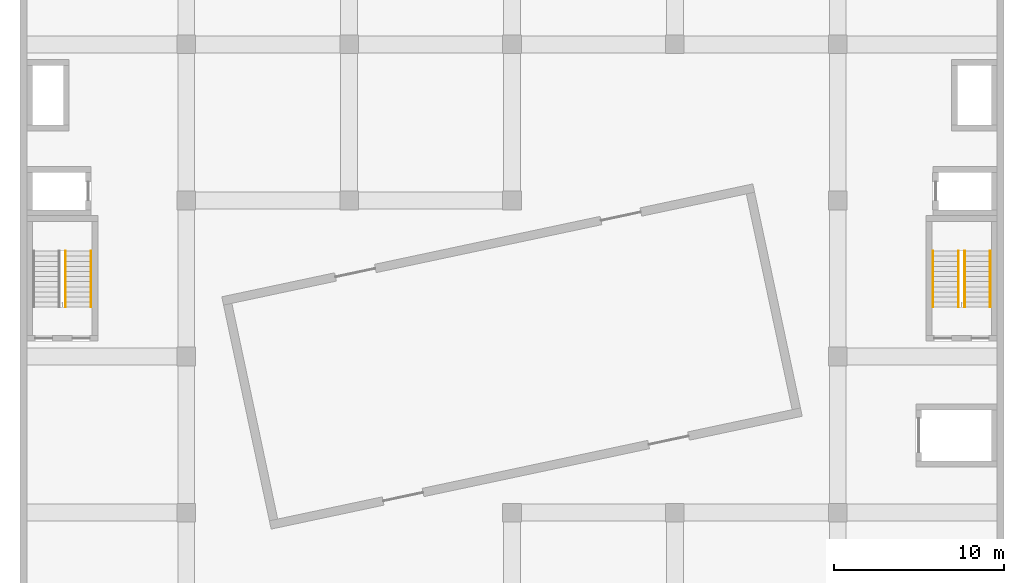
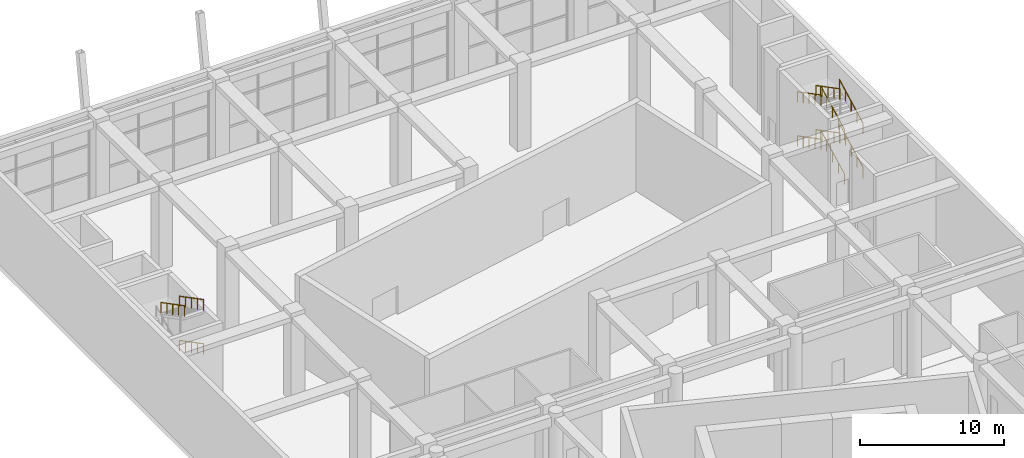
# One storey, part 23 of 36: 11 railings.
"""IFC4 building model written with IfcOpenShell, lengths in metres."""

from ifc_helpers import new_model, si_unit, direction, frame, origin, origin_2d, place, context, subcontext, project, spatial, circle, extrude, material, type_object, element, save


model = new_model("IFC4")

# Units and contexts
model_context = context("Model", 3, precision=1e-05, world=origin(), true_north=direction((0.0, 1.0)))
body_context = subcontext(model_context, "Body", "Model", "MODEL_VIEW")
ifc_project = project(units=[si_unit("LENGTHUNIT", "METRE"), si_unit("AREAUNIT", "SQUARE_METRE"), si_unit("VOLUMEUNIT", "CUBIC_METRE"), si_unit("PLANEANGLEUNIT", "RADIAN"), si_unit("MASSUNIT", "GRAM", prefix="KILO")], contexts=[model_context])

# Site, building, storey
site_placement = place(None, origin())
site = spatial("IfcSite", under=ifc_project, at=site_placement, CompositionType="ELEMENT")
building_placement = place(site_placement, origin())
building = spatial("IfcBuilding", under=site, at=building_placement, Name="Nzadi Deep Aquarium and Research Tower", CompositionType="ELEMENT")
storey_placement = place(building_placement, frame((0.0, 0.0, 14.199951171875)))
storey = spatial("IfcBuildingStorey", under=building, at=storey_placement, Name="L02", CompositionType="ELEMENT", Elevation=14.199951171875)

# Railings
ifc_material = material(Name="Stainless steel 1.4301", Category="steel")
railing_type = type_object("IfcRailingType", Name="HANDRAIL 900", PredefinedType="HANDRAIL", material=ifc_material)
for number, where, name in (
    (1, (3.989990234375, 119.409912109375, 2.03125), "HR-ST-Z3-W-L02-F2"),
    (2, (3.989990234375, 119.409912109375, 5.78125), "HR-ST-Z3-W-L02-F4"),
    (3, (2.485107421875, 119.409912109375, 5.78125), "HR-ST-Z3-W-L02-F4W"),
):
    element("IfcRailing", number, at=place(storey_placement, frame(where)), inside=storey, type_object=railing_type, Name=name, PredefinedType="HANDRAIL", context=body_context, shape_type="SweptSolid", body=[
        extrude(circle(Radius=0.02392578125, at=origin_2d()), frame((0.0, 0.0, 0.8759765625), z_axis=(0.0, -0.886902882346, 0.461955925697), x_axis=(1.0, 0.0, 0.0)), (0.0, 0.0, 1.0), 3.720703125),
        extrude(circle(Radius=0.02099609375, at=origin_2d()), origin(), (0.0, 0.0, 1.0), 0.851806640625),
        extrude(circle(Radius=0.02099609375, at=origin_2d()), frame((0.0, -0.824951171875, 0.4296875)), (0.0, 0.0, 1.0), 0.851806640625),
        extrude(circle(Radius=0.02099609375, at=origin_2d()), frame((0.0, -1.64990234375, 0.859375)), (0.0, 0.0, 1.0), 0.851806640625),
        extrude(circle(Radius=0.02099609375, at=origin_2d()), frame((0.0, -2.474853515625, 1.2890625)), (0.0, 0.0, 1.0), 0.851806640625),
        extrude(circle(Radius=0.02099609375, at=origin_2d()), frame((0.0, -3.2998046875, 1.71875)), (0.0, 0.0, 1.0), 0.851806640625),
    ])
for number, where, name in (
    (4, (56.989990234375, 116.110107421875, 0.15625), "HR-ST-Z3-E-L02-F1"),
    (5, (55.485107421875, 116.110107421875, 0.15625), "HR-ST-Z3-E-L02-F1W"),
):
    element("IfcRailing", number, at=place(storey_placement, frame(where)), inside=storey, type_object=railing_type, Name=name, PredefinedType="HANDRAIL", context=body_context, shape_type="SweptSolid", body=[
        extrude(circle(Radius=0.02392578125, at=origin_2d()), frame((0.0, 0.0, 0.8759765625), z_axis=(0.0, 0.886902882346, 0.461955925697), x_axis=(-1.0, 0.0, 0.0)), (0.0, 0.0, 1.0), 3.720703125),
        extrude(circle(Radius=0.02099609375, at=origin_2d()), origin(), (0.0, 0.0, 1.0), 0.851806640625),
        extrude(circle(Radius=0.02099609375, at=origin_2d()), frame((0.0, 0.824951171875, 0.4296875)), (0.0, 0.0, 1.0), 0.851806640625),
        extrude(circle(Radius=0.02099609375, at=origin_2d()), frame((0.0, 1.64990234375, 0.859375)), (0.0, 0.0, 1.0), 0.851806640625),
        extrude(circle(Radius=0.02099609375, at=origin_2d()), frame((0.0, 2.474853515625, 1.2890625)), (0.0, 0.0, 1.0), 0.851806640625),
        extrude(circle(Radius=0.02099609375, at=origin_2d()), frame((0.0, 3.2998046875, 1.71875)), (0.0, 0.0, 1.0), 0.851806640625),
    ])
for number, where, name in (
    (6, (53.610107421875, 119.409912109375, 2.03125), "HR-ST-Z3-E-L02-F2"),
    (7, (55.114990234375, 119.409912109375, 2.03125), "HR-ST-Z3-E-L02-F2W"),
):
    element("IfcRailing", number, at=place(storey_placement, frame(where)), inside=storey, type_object=railing_type, Name=name, PredefinedType="HANDRAIL", context=body_context, shape_type="SweptSolid", body=[
        extrude(circle(Radius=0.02392578125, at=origin_2d()), frame((0.0, 0.0, 0.8759765625), z_axis=(0.0, -0.886902882346, 0.461955925697), x_axis=(1.0, 0.0, 0.0)), (0.0, 0.0, 1.0), 3.720703125),
        extrude(circle(Radius=0.02099609375, at=origin_2d()), origin(), (0.0, 0.0, 1.0), 0.851806640625),
        extrude(circle(Radius=0.02099609375, at=origin_2d()), frame((0.0, -0.824951171875, 0.4296875)), (0.0, 0.0, 1.0), 0.851806640625),
        extrude(circle(Radius=0.02099609375, at=origin_2d()), frame((0.0, -1.64990234375, 0.859375)), (0.0, 0.0, 1.0), 0.851806640625),
        extrude(circle(Radius=0.02099609375, at=origin_2d()), frame((0.0, -2.474853515625, 1.2890625)), (0.0, 0.0, 1.0), 0.851806640625),
        extrude(circle(Radius=0.02099609375, at=origin_2d()), frame((0.0, -3.2998046875, 1.71875)), (0.0, 0.0, 1.0), 0.851806640625),
    ])
for number, where, name in (
    (8, (56.989990234375, 116.110107421875, 3.90625), "HR-ST-Z3-E-L02-F3"),
    (9, (55.485107421875, 116.110107421875, 3.90625), "HR-ST-Z3-E-L02-F3W"),
):
    element("IfcRailing", number, at=place(storey_placement, frame(where)), inside=storey, type_object=railing_type, Name=name, PredefinedType="HANDRAIL", context=body_context, shape_type="SweptSolid", body=[
        extrude(circle(Radius=0.02392578125, at=origin_2d()), frame((0.0, 0.0, 0.8759765625), z_axis=(0.0, 0.886902882346, 0.461955925697), x_axis=(-1.0, 0.0, 0.0)), (0.0, 0.0, 1.0), 3.720703125),
        extrude(circle(Radius=0.02099609375, at=origin_2d()), origin(), (0.0, 0.0, 1.0), 0.851806640625),
        extrude(circle(Radius=0.02099609375, at=origin_2d()), frame((0.0, 0.824951171875, 0.4296875)), (0.0, 0.0, 1.0), 0.851806640625),
        extrude(circle(Radius=0.02099609375, at=origin_2d()), frame((0.0, 1.64990234375, 0.859375)), (0.0, 0.0, 1.0), 0.851806640625),
        extrude(circle(Radius=0.02099609375, at=origin_2d()), frame((0.0, 2.474853515625, 1.2890625)), (0.0, 0.0, 1.0), 0.851806640625),
        extrude(circle(Radius=0.02099609375, at=origin_2d()), frame((0.0, 3.2998046875, 1.71875)), (0.0, 0.0, 1.0), 0.851806640625),
    ])
for number, where, name in (
    (10, (53.610107421875, 119.409912109375, 5.78125), "HR-ST-Z3-E-L02-F4"),
    (11, (55.114990234375, 119.409912109375, 5.78125), "HR-ST-Z3-E-L02-F4W"),
):
    element("IfcRailing", number, at=place(storey_placement, frame(where)), inside=storey, type_object=railing_type, Name=name, PredefinedType="HANDRAIL", context=body_context, shape_type="SweptSolid", body=[
        extrude(circle(Radius=0.02392578125, at=origin_2d()), frame((0.0, 0.0, 0.8759765625), z_axis=(0.0, -0.886902882346, 0.461955925697), x_axis=(1.0, 0.0, 0.0)), (0.0, 0.0, 1.0), 3.720703125),
        extrude(circle(Radius=0.02099609375, at=origin_2d()), origin(), (0.0, 0.0, 1.0), 0.851806640625),
        extrude(circle(Radius=0.02099609375, at=origin_2d()), frame((0.0, -0.824951171875, 0.4296875)), (0.0, 0.0, 1.0), 0.851806640625),
        extrude(circle(Radius=0.02099609375, at=origin_2d()), frame((0.0, -1.64990234375, 0.859375)), (0.0, 0.0, 1.0), 0.851806640625),
        extrude(circle(Radius=0.02099609375, at=origin_2d()), frame((0.0, -2.474853515625, 1.2890625)), (0.0, 0.0, 1.0), 0.851806640625),
        extrude(circle(Radius=0.02099609375, at=origin_2d()), frame((0.0, -3.2998046875, 1.71875)), (0.0, 0.0, 1.0), 0.851806640625),
    ])

save(model, "model.ifc")
